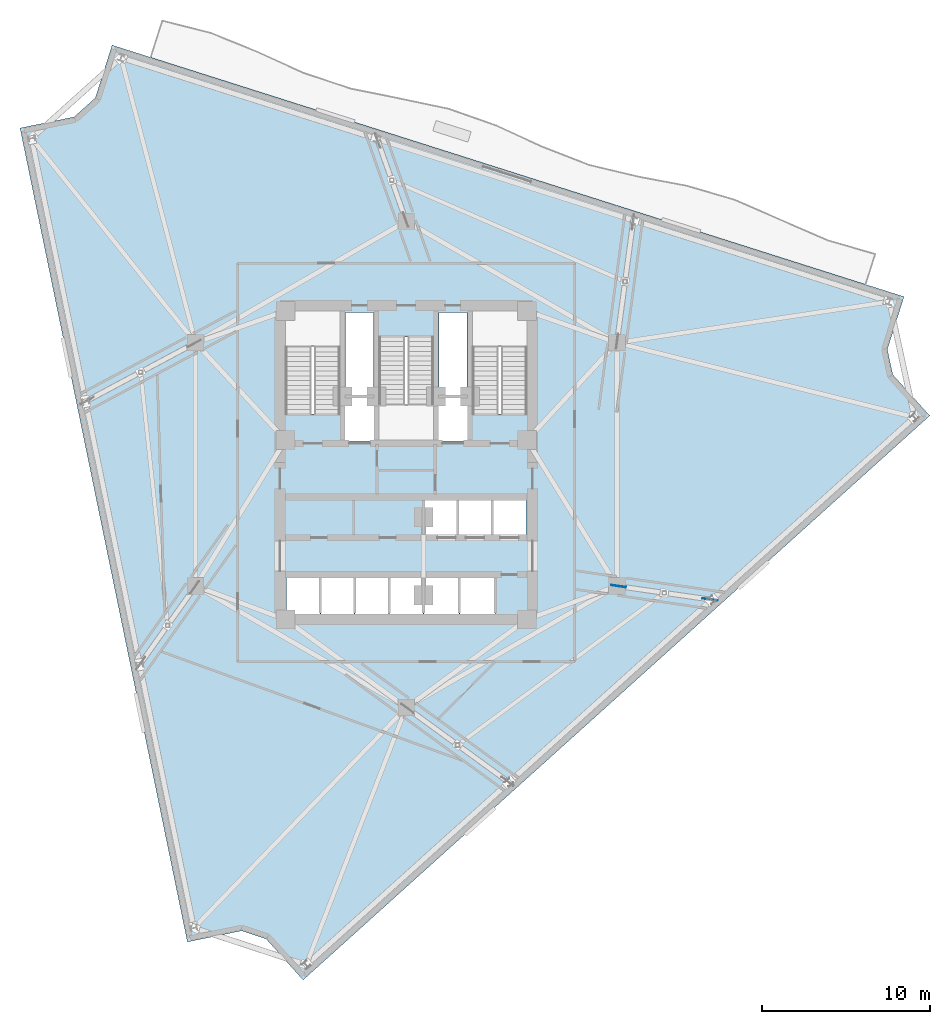
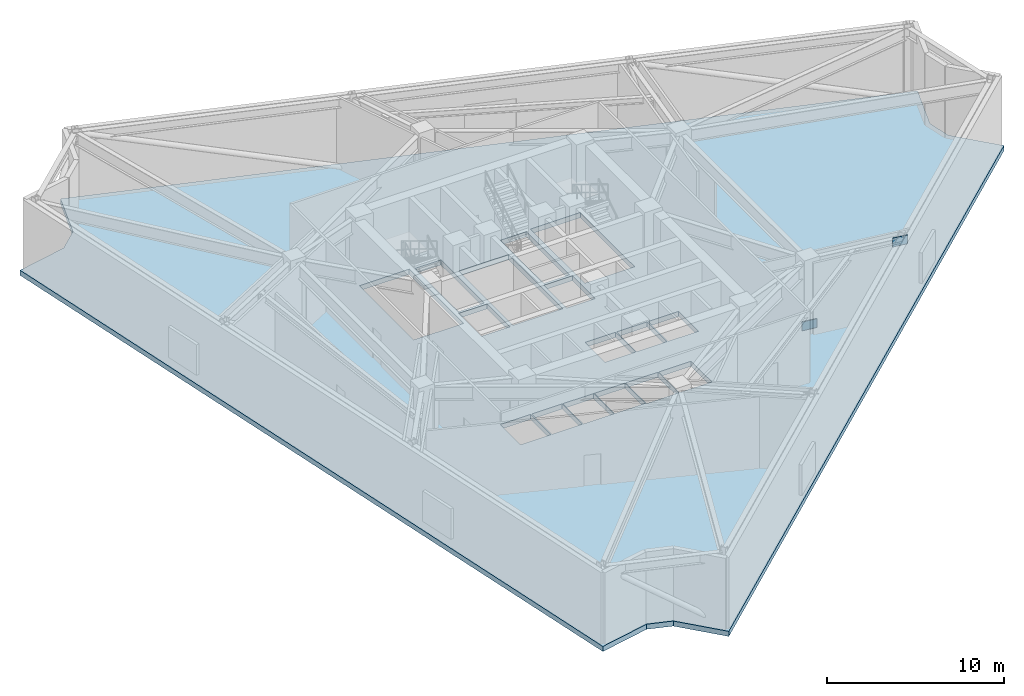
# One storey, part 9 of 16: 2 plates, 1 slab.
"""IFC4 building model written with IfcOpenShell, lengths in metres."""

from ifc_helpers import new_model, si_unit, direction, frame, origin, origin_2d, place, context, subcontext, project, spatial, polyline, rectangle, outline, extrude, material, layer, layer_set, type_object, element, save


model = new_model("IFC4")

# Units and contexts
model_context = context("Model", 3, precision=1e-05, world=origin(), true_north=direction((0.0, 1.0)))
body_context = subcontext(model_context, "Body", "Model", "MODEL_VIEW")
ifc_project = project(units=[si_unit("LENGTHUNIT", "METRE"), si_unit("AREAUNIT", "SQUARE_METRE"), si_unit("VOLUMEUNIT", "CUBIC_METRE"), si_unit("PLANEANGLEUNIT", "RADIAN"), si_unit("MASSUNIT", "GRAM", prefix="KILO")], contexts=[model_context])

# Site, building, storey
site_placement = place(None, origin())
site = spatial("IfcSite", under=ifc_project, at=site_placement, CompositionType="ELEMENT")
building_placement = place(site_placement, origin())
building = spatial("IfcBuilding", under=site, at=building_placement, Name="Apsidion Concourse Tower", CompositionType="ELEMENT")
storey_placement = place(building_placement, frame((0.0, 0.0, 227.0)))
storey = spatial("IfcBuildingStorey", under=building, at=storey_placement, Name="L53", CompositionType="ELEMENT", Elevation=227.0)

# Plates
ifc_material_1 = material(Name="Structural steel ASTM A572 Grade 50", Category="steel")
ifc_layer_1 = layer(ifc_material_1, 0.0400390625)
ifc_layer_set_1 = layer_set([ifc_layer_1], Name="Structural steel ASTM A572 Grade 50")
plate_type = type_object("IfcPlateType", Name="PL-GUSSET-40", PredefinedType="SHEET", material=ifc_layer_set_1)
for number, where, z_axis, x_axis, name in (
    (1, (12.658935546875, -7.264404296875, 0.02001953125), (0.0, 0.0, 1.0), (-0.98965138682, 0.143492621991, 0.0), "L53 Outrigger Inner Node Gusset Plate ONA-02"),
    (2, (18.1123046875, -8.05517578125, 4.369873046875), (0.0, 0.0, 1.0), (-0.98965138682, 0.143492621991, 0.0), "L53 Outrigger Outer Node Gusset Plate ONB-02"),
):
    element("IfcPlate", number, at=place(storey_placement, frame(where, z_axis=z_axis, x_axis=x_axis)), inside=storey, type_object=plate_type, Name=name, PredefinedType="SHEET", context=body_context, shape_type="SweptSolid", body=[
        extrude(rectangle(XDim=0.89990234375, YDim=0.0400390625, at=origin_2d()), origin(), (0.0, 0.0, 1.0), 0.60009765625),
    ])

# Slab
ifc_material_2 = material(Name="Concrete C50/60", Category="concrete")
ifc_layer_2 = layer(ifc_material_2, 0.35009765625)
ifc_layer_set_2 = layer_set([ifc_layer_2], Name="Concrete C50/60")
slab_type = type_object("IfcSlabType", Name="SL-FLR-350", PredefinedType="FLOOR", material=ifc_layer_set_2)
slab_placement = place(storey_placement, frame((0.0, 0.0, -0.35009765625)))
element("IfcSlab", 3, at=slab_placement, inside=storey, type_object=slab_type, Name="L53 Structural Floor Slab", PredefinedType="FLOOR", context=body_context, shape_type="SweptSolid", body=[
    extrude(outline(polyline([(-17.537353515625, 24.998779296875), (-18.535400390625, 21.8564453125), (-19.79931640625, 20.718505859375), (-23.02880859375, 20.05419921875), (-13.048828125, -28.475341796875), (-9.819580078125, -27.811279296875), (-8.354248046875, -28.292724609375), (-6.148193359375, -30.742919921875), (31.217041015625, 2.90087890625), (29.010986328125, 5.35107421875), (28.685302734375, 6.858642578125), (29.683349609375, 10.0009765625), (-17.537353515625, 24.998779296875)]), holes=[polyline([(-3.949951171875, 3.0), (-3.949951171875, 9.14990234375), (-7.199951171875, 9.14990234375), (-7.199951171875, 3.0), (-3.949951171875, 3.0)]), polyline([(7.199951171875, 3.0), (7.199951171875, 9.14990234375), (3.949951171875, 9.14990234375), (3.949951171875, 3.0), (7.199951171875, 3.0)]), polyline([(-1.625, 7.60009765625), (-1.625, 1.449951171875), (1.625, 1.449951171875), (1.625, 7.60009765625), (-1.625, 7.60009765625)]), polyline([(1.054931640625, -4.300048828125), (3.044921875, -4.300048828125), (3.044921875, -2.050048828125), (1.054931640625, -2.050048828125), (1.054931640625, -4.300048828125)]), polyline([(3.10498046875, -4.300048828125), (5.094970703125, -4.300048828125), (5.094970703125, -2.050048828125), (3.10498046875, -2.050048828125), (3.10498046875, -4.300048828125)]), polyline([(5.155029296875, -4.300048828125), (7.14501953125, -4.300048828125), (7.14501953125, -2.050048828125), (5.155029296875, -2.050048828125), (5.155029296875, -4.300048828125)]), polyline([(-7.14501953125, -8.949951171875), (-5.155029296875, -8.949951171875), (-5.155029296875, -6.64990234375), (-7.14501953125, -6.64990234375), (-7.14501953125, -8.949951171875)]), polyline([(-5.094970703125, -8.949951171875), (-3.10498046875, -8.949951171875), (-3.10498046875, -6.64990234375), (-5.094970703125, -6.64990234375), (-5.094970703125, -8.949951171875)]), polyline([(-3.044921875, -8.949951171875), (-1.054931640625, -8.949951171875), (-1.054931640625, -6.64990234375), (-3.044921875, -6.64990234375), (-3.044921875, -8.949951171875)]), polyline([(-0.9951171875, -8.949951171875), (0.9951171875, -8.949951171875), (0.9951171875, -6.64990234375), (-0.9951171875, -6.64990234375), (-0.9951171875, -8.949951171875)]), polyline([(1.044921875, -9.0), (3.155029296875, -9.0), (3.155029296875, -6.64990234375), (1.044921875, -6.64990234375), (1.044921875, -9.0)]), polyline([(3.195068359375, -9.0), (5.304931640625, -9.0), (5.304931640625, -6.64990234375), (3.195068359375, -6.64990234375), (3.195068359375, -9.0)]), polyline([(-3.7099609375, 1.39990234375), (-1.85009765625, 1.39990234375), (-1.85009765625, 4.0), (-3.7099609375, 4.0), (-3.7099609375, 1.39990234375)]), polyline([(1.85009765625, 1.39990234375), (3.7099609375, 1.39990234375), (3.7099609375, 4.0), (1.85009765625, 4.0), (1.85009765625, 1.39990234375)]), polyline([(-3.6201171875, 4.14990234375), (-1.93994140625, 4.14990234375), (-1.93994140625, 9.050048828125), (-3.6201171875, 9.050048828125), (-3.6201171875, 4.14990234375)]), polyline([(1.93994140625, 4.14990234375), (3.6201171875, 4.14990234375), (3.6201171875, 9.050048828125), (1.93994140625, 9.050048828125), (1.93994140625, 4.14990234375)])]), origin(), (0.0, 0.0, 1.0), 0.35009765625),
])

save(model, "model.ifc")
